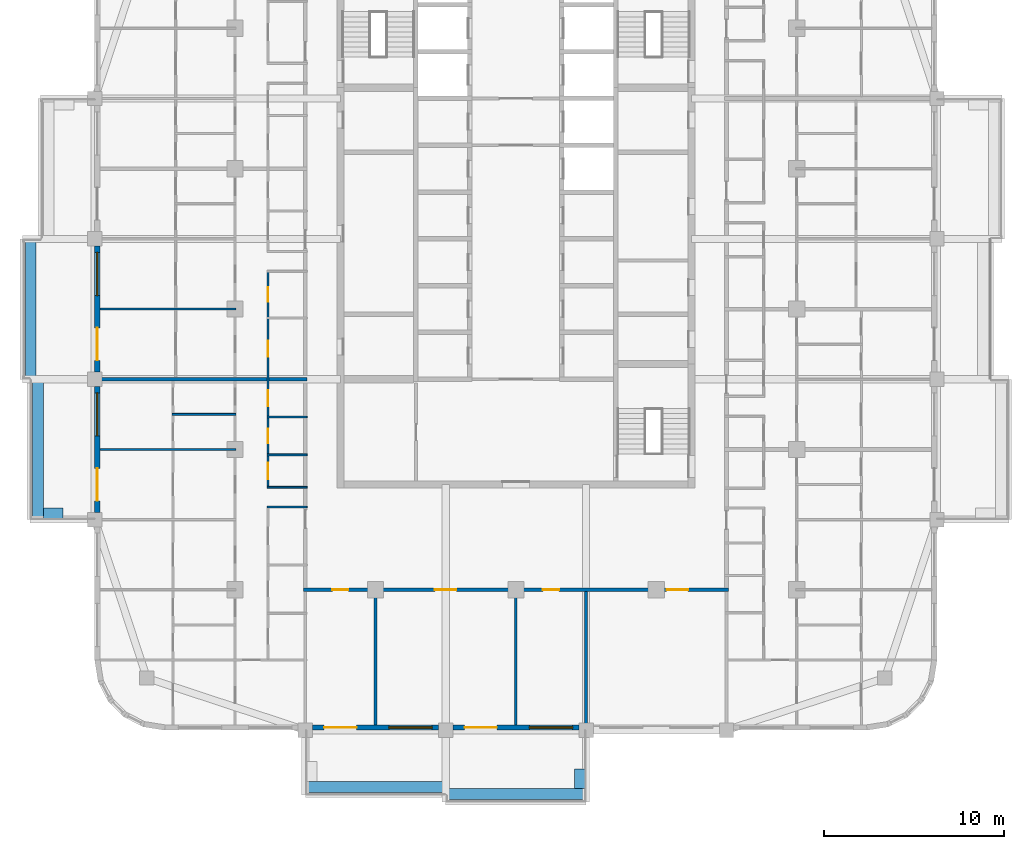
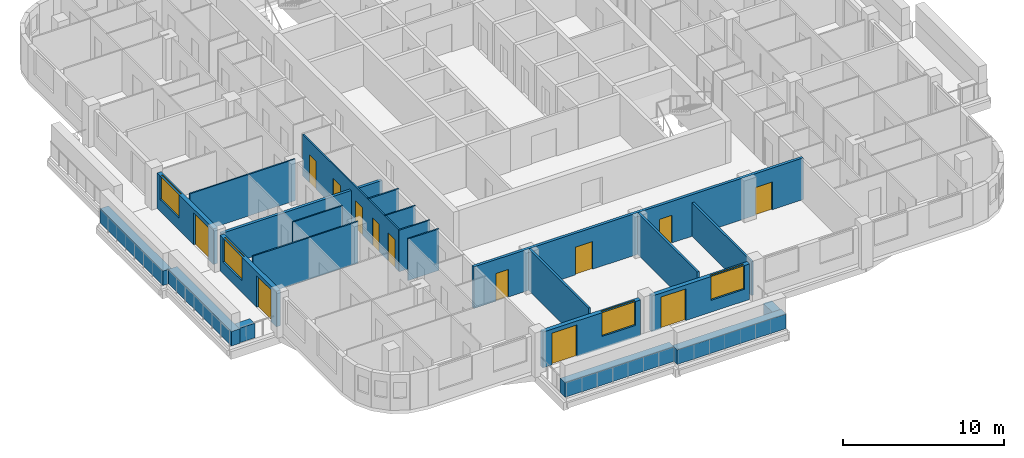
# One storey, part 3 of 16: 23 walls, 13 doors, 4 windows, 17 openings.
"""IFC4 building model written with IfcOpenShell, lengths in metres."""

from ifc_helpers import new_model, si_unit, direction, frame, frame_2d, origin, place, context, subcontext, project, spatial, rectangle, extrude, material, layer, layer_set, type_object, element, fill, save


model = new_model("IFC4")

# Units and contexts
model_context = context("Model", 3, precision=1e-05, world=origin(), true_north=direction((0.0, 1.0)))
body_context = subcontext(model_context, "Body", "Model", "MODEL_VIEW")
ifc_project = project(units=[si_unit("LENGTHUNIT", "METRE"), si_unit("AREAUNIT", "SQUARE_METRE"), si_unit("VOLUMEUNIT", "CUBIC_METRE"), si_unit("PLANEANGLEUNIT", "RADIAN"), si_unit("MASSUNIT", "GRAM", prefix="KILO")], contexts=[model_context])

# Site, building, storey
site_placement = place(None, origin())
site = spatial("IfcSite", under=ifc_project, at=site_placement, CompositionType="ELEMENT")
building_placement = place(site_placement, origin())
building = spatial("IfcBuilding", under=site, at=building_placement, Name="Ludao Terraces", CompositionType="ELEMENT")
storey_placement = place(building_placement, frame((0.0, 0.0, 214.300048828125)))
storey = spatial("IfcBuildingStorey", under=building, at=storey_placement, Name="L58", CompositionType="ELEMENT", Elevation=214.300048828125)

# Walls
ifc_material_1 = material(Name="Concrete C40", Category="concrete")
ifc_layer_1 = layer(ifc_material_1, 0.60009765625)
ifc_layer_set_1 = layer_set([ifc_layer_1], Name="ENV Planter trough 600")
wall_type_1 = type_object("IfcWallType", Name="ENV Planter trough 600", PredefinedType="USERDEFINED", material=ifc_layer_set_1)
wall_1_placement = place(storey_placement, frame((73.300048828125, 38.449951171875, 0.0), z_axis=(0.0, 0.0, 1.0), x_axis=(1.0, 0.0, 0.0)))
element("IfcWall", 1, at=wall_1_placement, inside=storey, type_object=wall_type_1, Name="PL-L58-S1", ObjectType="PLANTER", PredefinedType="USERDEFINED", context=body_context, shape_type="SweptSolid", body=[
    extrude(rectangle(XDim=7.800048828125, YDim=0.60009765625, at=frame_2d((3.89990234375, 0.0))), origin(), (0.0, 0.0, 1.0), 1.099853515625),
])
wall_2_placement = place(storey_placement, frame((81.10009765625, 38.050048828125, 0.0), z_axis=(0.0, 0.0, 1.0), x_axis=(1.0, 0.0, 0.0)))
element("IfcWall", 2, at=wall_2_placement, inside=storey, type_object=wall_type_1, Name="PL-L58-S2", ObjectType="PLANTER", PredefinedType="USERDEFINED", context=body_context, shape_type="SweptSolid", body=[
    extrude(rectangle(XDim=7.7998046875, YDim=0.60009765625, at=frame_2d((3.89990234375, 0.0))), origin(), (0.0, 0.0, 1.0), 1.099853515625),
])
wall_3_placement = place(storey_placement, frame((88.550048828125, 38.35009765625, 0.0), z_axis=(0.0, 0.0, 1.0), x_axis=(0.0, 1.0, 0.0)))
element("IfcWall", 3, at=wall_3_placement, inside=storey, type_object=wall_type_1, Name="PL-L58-S2-SB", ObjectType="PLANTER", PredefinedType="USERDEFINED", context=body_context, shape_type="SweptSolid", body=[
    extrude(rectangle(XDim=1.099853515625, YDim=0.60009765625, at=frame_2d((0.5498046875, 0.0))), origin(), (0.0, 0.0, 1.0), 1.099853515625),
])
wall_4_placement = place(storey_placement, frame((58.449951171875, 53.300048828125, 0.0), z_axis=(0.0, 0.0, 1.0), x_axis=(0.0, 1.0, 0.0)))
element("IfcWall", 4, at=wall_4_placement, inside=storey, type_object=wall_type_1, Name="PL-L58-W1", ObjectType="PLANTER", PredefinedType="USERDEFINED", context=body_context, shape_type="SweptSolid", body=[
    extrude(rectangle(XDim=7.800048828125, YDim=0.60009765625, at=frame_2d((3.89990234375, 0.0))), origin(), (0.0, 0.0, 1.0), 1.099853515625),
])
wall_5_placement = place(storey_placement, frame((58.75, 53.64990234375, 0.0), z_axis=(0.0, 0.0, 1.0), x_axis=(1.0, 0.0, 0.0)))
element("IfcWall", 5, at=wall_5_placement, inside=storey, type_object=wall_type_1, Name="PL-L58-W1-SA", ObjectType="PLANTER", PredefinedType="USERDEFINED", context=body_context, shape_type="SweptSolid", body=[
    extrude(rectangle(XDim=1.10009765625, YDim=0.60009765625, at=frame_2d((0.550048828125, 0.0))), origin(), (0.0, 0.0, 1.0), 1.099853515625),
])
wall_6_placement = place(storey_placement, frame((58.050048828125, 61.10009765625, 0.0), z_axis=(0.0, 0.0, 1.0), x_axis=(0.0, 1.0, 0.0)))
element("IfcWall", 6, at=wall_6_placement, inside=storey, type_object=wall_type_1, Name="PL-L58-W2", ObjectType="PLANTER", PredefinedType="USERDEFINED", context=body_context, shape_type="SweptSolid", body=[
    extrude(rectangle(XDim=7.7998046875, YDim=0.60009765625, at=frame_2d((3.89990234375, 0.0))), origin(), (0.0, 0.0, 1.0), 1.099853515625),
])

# Wall, openings, door, window
ifc_material_2 = material(Name="Granite cladding", Category="masonry")
ifc_layer_2 = layer(ifc_material_2, 0.0400390625, Category="stone")
ifc_material_3 = material(Name="Mineral wool")
ifc_layer_3 = layer(ifc_material_3, 0.06005859375)
ifc_layer_4 = layer(ifc_material_1, 0.199951171875, Category="concrete")
ifc_layer_set_2 = layer_set([ifc_layer_2, ifc_layer_3, ifc_layer_4], Name="ENV Stone-clad wall 300")
wall_type_2 = type_object("IfcWallType", Name="ENV Stone-clad wall 300", PredefinedType="SOLIDWALL", material=ifc_layer_set_2)
wall_7_placement = place(storey_placement, frame((73.699951171875, 41.75, 0.0), z_axis=(0.0, 0.0, 1.0), x_axis=(1.0, 0.0, 0.0)))
wall_7 = element("IfcWall", 7, at=wall_7_placement, inside=storey, type_object=wall_type_2, Name="EW-L58-S2", PredefinedType="SOLIDWALL", context=body_context, shape_type="SweptSolid", body=[
    extrude(rectangle(XDim=7.0, YDim=0.300048828125, at=frame_2d((3.5, 0.0))), origin(), (0.0, 0.0, 1.0), 2.699951171875),
])
opening_1_placement = place(wall_7_placement, frame((0.64990234375, 0.0, 0.0)))
opening_1 = element("IfcOpeningElement", 8, at=opening_1_placement, cuts=wall_7, Name="Opening BD", PredefinedType="OPENING", context=body_context, shape_type="SweptSolid", body=[
    extrude(rectangle(XDim=1.800048828125, YDim=2.39990234375, at=frame_2d((0.89990234375, 1.199951171875))), frame((0.0, 0.16015625, 0.0), z_axis=(0.0, -1.0, 0.0), x_axis=(1.0, 0.0, 0.0)), (0.0, 0.0, 1.0), 0.320068359375),
])
opening_2_placement = place(wall_7_placement, frame((4.25, 0.0, 0.89990234375)))
opening_2 = element("IfcOpeningElement", 9, at=opening_2_placement, cuts=wall_7, Name="Opening W1", PredefinedType="OPENING", context=body_context, shape_type="SweptSolid", body=[
    extrude(rectangle(XDim=2.39990234375, YDim=1.800048828125, at=frame_2d((1.199951171875, 0.89990234375))), frame((0.0, 0.16015625, 0.0), z_axis=(0.0, -1.0, 0.0), x_axis=(1.0, 0.0, 0.0)), (0.0, 0.0, 1.0), 0.320068359375),
])
ifc_material_4 = material(Name="Aluminium glazed door", Category="aluminium")
ifc_layer_5 = layer(ifc_material_4, 0.06005859375)
ifc_layer_set_3 = layer_set([ifc_layer_5], Name="ENV Balcony door BD 1800x2400")
door_type_1 = type_object("IfcDoorType", Name="ENV Balcony door BD 1800x2400", OperationType="DOUBLE_DOOR_SINGLE_SWING", PredefinedType="DOOR", material=ifc_layer_set_3)
door_1_placement = place(opening_1_placement, origin())
door_1 = element("IfcDoor", 10, at=door_1_placement, inside=storey, type_object=door_type_1, Name="BD-L58-S2-1", OperationType="DOUBLE_DOOR_SINGLE_SWING", OverallHeight=2.39990234375, OverallWidth=1.800048828125, PredefinedType="DOOR", context=body_context, shape_type="SweptSolid", body=[
    extrude(rectangle(XDim=1.800048828125, YDim=2.39990234375, at=frame_2d((0.89990234375, 1.199951171875))), frame((0.0, 0.02490234375, 0.0), z_axis=(0.0, -1.0, 0.0), x_axis=(1.0, 0.0, 0.0)), (0.0, 0.0, 1.0), 0.050048828125),
])
fill(opening_1, door_1)
ifc_material_5 = material(Name="Clear glass in aluminium frame", Category="aluminium")
ifc_layer_6 = layer(ifc_material_5, 0.06005859375)
ifc_layer_set_4 = layer_set([ifc_layer_6], Name="ENV Window W1 2400x1800")
window_type = type_object("IfcWindowType", Name="ENV Window W1 2400x1800", PartitioningType="DOUBLE_PANEL_VERTICAL", PredefinedType="WINDOW", material=ifc_layer_set_4)
window_1_placement = place(opening_2_placement, origin())
window_1 = element("IfcWindow", 11, at=window_1_placement, inside=storey, type_object=window_type, Name="W-L58-S2-2", OverallHeight=1.800048828125, OverallWidth=2.39990234375, PartitioningType="DOUBLE_PANEL_VERTICAL", PredefinedType="WINDOW", context=body_context, shape_type="SweptSolid", body=[
    extrude(rectangle(XDim=2.39990234375, YDim=1.800048828125, at=frame_2d((1.199951171875, 0.89990234375))), frame((0.0, 0.030029296875, 0.0), z_axis=(0.0, -1.0, 0.0), x_axis=(1.0, 0.0, 0.0)), (0.0, 0.0, 1.0), 0.06005859375),
])
fill(opening_2, window_1)

wall_8_placement = place(storey_placement, frame((81.5, 41.75, 0.0), z_axis=(0.0, 0.0, 1.0), x_axis=(1.0, 0.0, 0.0)))
wall_8 = element("IfcWall", 12, at=wall_8_placement, inside=storey, type_object=wall_type_2, Name="EW-L58-S3", PredefinedType="SOLIDWALL", context=body_context, shape_type="SweptSolid", body=[
    extrude(rectangle(XDim=7.0, YDim=0.300048828125, at=frame_2d((3.5, 0.0))), origin(), (0.0, 0.0, 1.0), 2.699951171875),
])
opening_3_placement = place(wall_8_placement, frame((0.64990234375, 0.0, 0.0)))
opening_3 = element("IfcOpeningElement", 13, at=opening_3_placement, cuts=wall_8, Name="Opening BD", PredefinedType="OPENING", context=body_context, shape_type="SweptSolid", body=[
    extrude(rectangle(XDim=1.800048828125, YDim=2.39990234375, at=frame_2d((0.89990234375, 1.199951171875))), frame((0.0, 0.16015625, 0.0), z_axis=(0.0, -1.0, 0.0), x_axis=(1.0, 0.0, 0.0)), (0.0, 0.0, 1.0), 0.320068359375),
])
opening_4_placement = place(wall_8_placement, frame((4.25, 0.0, 0.89990234375)))
opening_4 = element("IfcOpeningElement", 14, at=opening_4_placement, cuts=wall_8, Name="Opening W1", PredefinedType="OPENING", context=body_context, shape_type="SweptSolid", body=[
    extrude(rectangle(XDim=2.39990234375, YDim=1.800048828125, at=frame_2d((1.199951171875, 0.89990234375))), frame((0.0, 0.16015625, 0.0), z_axis=(0.0, -1.0, 0.0), x_axis=(1.0, 0.0, 0.0)), (0.0, 0.0, 1.0), 0.320068359375),
])
door_2_placement = place(opening_3_placement, origin())
door_2 = element("IfcDoor", 15, at=door_2_placement, inside=storey, type_object=door_type_1, Name="BD-L58-S3-1", OperationType="DOUBLE_DOOR_SINGLE_SWING", OverallHeight=2.39990234375, OverallWidth=1.800048828125, PredefinedType="DOOR", context=body_context, shape_type="SweptSolid", body=[
    extrude(rectangle(XDim=1.800048828125, YDim=2.39990234375, at=frame_2d((0.89990234375, 1.199951171875))), frame((0.0, 0.02490234375, 0.0), z_axis=(0.0, -1.0, 0.0), x_axis=(1.0, 0.0, 0.0)), (0.0, 0.0, 1.0), 0.050048828125),
])
fill(opening_3, door_2)
window_2_placement = place(opening_4_placement, origin())
window_2 = element("IfcWindow", 16, at=window_2_placement, inside=storey, type_object=window_type, Name="W-L58-S3-2", OverallHeight=1.800048828125, OverallWidth=2.39990234375, PartitioningType="DOUBLE_PANEL_VERTICAL", PredefinedType="WINDOW", context=body_context, shape_type="SweptSolid", body=[
    extrude(rectangle(XDim=2.39990234375, YDim=1.800048828125, at=frame_2d((1.199951171875, 0.89990234375))), frame((0.0, 0.030029296875, 0.0), z_axis=(0.0, -1.0, 0.0), x_axis=(1.0, 0.0, 0.0)), (0.0, 0.0, 1.0), 0.06005859375),
])
fill(opening_4, window_2)

wall_9_placement = place(storey_placement, frame((61.75, 53.699951171875, 0.0), z_axis=(0.0, 0.0, 1.0), x_axis=(0.0, 1.0, 0.0)))
wall_9 = element("IfcWall", 17, at=wall_9_placement, inside=storey, type_object=wall_type_2, Name="EW-L58-W2", PredefinedType="SOLIDWALL", context=body_context, shape_type="SweptSolid", body=[
    extrude(rectangle(XDim=7.0, YDim=0.300048828125, at=frame_2d((3.5, 0.0))), origin(), (0.0, 0.0, 1.0), 2.699951171875),
])
opening_5_placement = place(wall_9_placement, frame((0.64990234375, 0.0, 0.0)))
opening_5 = element("IfcOpeningElement", 18, at=opening_5_placement, cuts=wall_9, Name="Opening BD", PredefinedType="OPENING", context=body_context, shape_type="SweptSolid", body=[
    extrude(rectangle(XDim=1.800048828125, YDim=2.39990234375, at=frame_2d((0.89990234375, 1.199951171875))), frame((0.0, 0.16015625, 0.0), z_axis=(0.0, -1.0, 0.0), x_axis=(1.0, 0.0, 0.0)), (0.0, 0.0, 1.0), 0.320068359375),
])
opening_6_placement = place(wall_9_placement, frame((4.25, 0.0, 0.89990234375)))
opening_6 = element("IfcOpeningElement", 19, at=opening_6_placement, cuts=wall_9, Name="Opening W1", PredefinedType="OPENING", context=body_context, shape_type="SweptSolid", body=[
    extrude(rectangle(XDim=2.39990234375, YDim=1.800048828125, at=frame_2d((1.199951171875, 0.89990234375))), frame((0.0, 0.16015625, 0.0), z_axis=(0.0, -1.0, 0.0), x_axis=(1.0, 0.0, 0.0)), (0.0, 0.0, 1.0), 0.320068359375),
])
door_3_placement = place(opening_5_placement, origin())
door_3 = element("IfcDoor", 20, at=door_3_placement, inside=storey, type_object=door_type_1, Name="BD-L58-W2-1", OperationType="DOUBLE_DOOR_SINGLE_SWING", OverallHeight=2.39990234375, OverallWidth=1.800048828125, PredefinedType="DOOR", context=body_context, shape_type="SweptSolid", body=[
    extrude(rectangle(XDim=1.800048828125, YDim=2.39990234375, at=frame_2d((0.89990234375, 1.199951171875))), frame((0.0, 0.02490234375, 0.0), z_axis=(0.0, -1.0, 0.0), x_axis=(1.0, 0.0, 0.0)), (0.0, 0.0, 1.0), 0.050048828125),
])
fill(opening_5, door_3)
window_3_placement = place(opening_6_placement, origin())
window_3 = element("IfcWindow", 21, at=window_3_placement, inside=storey, type_object=window_type, Name="W-L58-W2-2", OverallHeight=1.800048828125, OverallWidth=2.39990234375, PartitioningType="DOUBLE_PANEL_VERTICAL", PredefinedType="WINDOW", context=body_context, shape_type="SweptSolid", body=[
    extrude(rectangle(XDim=2.39990234375, YDim=1.800048828125, at=frame_2d((1.199951171875, 0.89990234375))), frame((0.0, 0.030029296875, 0.0), z_axis=(0.0, -1.0, 0.0), x_axis=(1.0, 0.0, 0.0)), (0.0, 0.0, 1.0), 0.06005859375),
])
fill(opening_6, window_3)

wall_10_placement = place(storey_placement, frame((61.75, 61.5, 0.0), z_axis=(0.0, 0.0, 1.0), x_axis=(0.0, 1.0, 0.0)))
wall_10 = element("IfcWall", 22, at=wall_10_placement, inside=storey, type_object=wall_type_2, Name="EW-L58-W3", PredefinedType="SOLIDWALL", context=body_context, shape_type="SweptSolid", body=[
    extrude(rectangle(XDim=7.0, YDim=0.300048828125, at=frame_2d((3.5, 0.0))), origin(), (0.0, 0.0, 1.0), 2.699951171875),
])
opening_7_placement = place(wall_10_placement, frame((0.64990234375, 0.0, 0.0)))
opening_7 = element("IfcOpeningElement", 23, at=opening_7_placement, cuts=wall_10, Name="Opening BD", PredefinedType="OPENING", context=body_context, shape_type="SweptSolid", body=[
    extrude(rectangle(XDim=1.800048828125, YDim=2.39990234375, at=frame_2d((0.89990234375, 1.199951171875))), frame((0.0, 0.16015625, 0.0), z_axis=(0.0, -1.0, 0.0), x_axis=(1.0, 0.0, 0.0)), (0.0, 0.0, 1.0), 0.320068359375),
])
opening_8_placement = place(wall_10_placement, frame((4.25, 0.0, 0.89990234375)))
opening_8 = element("IfcOpeningElement", 24, at=opening_8_placement, cuts=wall_10, Name="Opening W1", PredefinedType="OPENING", context=body_context, shape_type="SweptSolid", body=[
    extrude(rectangle(XDim=2.39990234375, YDim=1.800048828125, at=frame_2d((1.199951171875, 0.89990234375))), frame((0.0, 0.16015625, 0.0), z_axis=(0.0, -1.0, 0.0), x_axis=(1.0, 0.0, 0.0)), (0.0, 0.0, 1.0), 0.320068359375),
])
door_4_placement = place(opening_7_placement, origin())
door_4 = element("IfcDoor", 25, at=door_4_placement, inside=storey, type_object=door_type_1, Name="BD-L58-W3-1", OperationType="DOUBLE_DOOR_SINGLE_SWING", OverallHeight=2.39990234375, OverallWidth=1.800048828125, PredefinedType="DOOR", context=body_context, shape_type="SweptSolid", body=[
    extrude(rectangle(XDim=1.800048828125, YDim=2.39990234375, at=frame_2d((0.89990234375, 1.199951171875))), frame((0.0, 0.02490234375, 0.0), z_axis=(0.0, -1.0, 0.0), x_axis=(1.0, 0.0, 0.0)), (0.0, 0.0, 1.0), 0.050048828125),
])
fill(opening_7, door_4)
window_4_placement = place(opening_8_placement, origin())
window_4 = element("IfcWindow", 26, at=window_4_placement, inside=storey, type_object=window_type, Name="W-L58-W3-2", OverallHeight=1.800048828125, OverallWidth=2.39990234375, PartitioningType="DOUBLE_PANEL_VERTICAL", PredefinedType="WINDOW", context=body_context, shape_type="SweptSolid", body=[
    extrude(rectangle(XDim=2.39990234375, YDim=1.800048828125, at=frame_2d((1.199951171875, 0.89990234375))), frame((0.0, 0.030029296875, 0.0), z_axis=(0.0, -1.0, 0.0), x_axis=(1.0, 0.0, 0.0)), (0.0, 0.0, 1.0), 0.06005859375),
])
fill(opening_8, window_4)

# Wall, openings, doors
ifc_material_6 = material(Name="Autoclaved aerated concrete block B06 A3.5", Category="concrete")
ifc_layer_7 = layer(ifc_material_6, 0.199951171875)
ifc_layer_set_5 = layer_set([ifc_layer_7], Name="INT Entrance wall 200")
wall_type_3 = type_object("IfcWallType", Name="INT Entrance wall 200", PredefinedType="PARTITIONING", material=ifc_layer_set_5)
wall_11_placement = place(storey_placement, frame((73.2001953125, 49.39990234375, 0.0), z_axis=(0.0, 0.0, 1.0), x_axis=(1.0, 0.0, 0.0)))
wall_11 = element("IfcWall", 27, at=wall_11_placement, inside=storey, type_object=wall_type_3, Name="PW-L58-PW007", PredefinedType="PARTITIONING", context=body_context, shape_type="SweptSolid", body=[
    extrude(rectangle(XDim=23.599853515625, YDim=0.199951171875, at=frame_2d((11.7998046875, 0.0))), origin(), (0.0, 0.0, 1.0), 3.14990234375),
])
opening_9_placement = place(wall_11_placement, frame((1.599853515625, 0.0, 0.0)))
opening_9 = element("IfcOpeningElement", 28, at=opening_9_placement, cuts=wall_11, Name="Opening R21-016", PredefinedType="OPENING", context=body_context, shape_type="SweptSolid", body=[
    extrude(rectangle(XDim=0.89990234375, YDim=2.10009765625, at=frame_2d((0.449951171875, 1.050048828125))), frame((0.0, 0.10986328125, 0.0), z_axis=(0.0, -1.0, 0.0), x_axis=(1.0, 0.0, 0.0)), (0.0, 0.0, 1.0), 0.219970703125),
])
opening_10_placement = place(wall_11_placement, frame((7.2998046875, 0.0, 0.0)))
opening_10 = element("IfcOpeningElement", 29, at=opening_10_placement, cuts=wall_11, Name="Opening R21-017", PredefinedType="OPENING", context=body_context, shape_type="SweptSolid", body=[
    extrude(rectangle(XDim=1.199951171875, YDim=2.10009765625, at=frame_2d((0.60009765625, 1.050048828125))), frame((0.0, 0.10986328125, 0.0), z_axis=(0.0, -1.0, 0.0), x_axis=(1.0, 0.0, 0.0)), (0.0, 0.0, 1.0), 0.219970703125),
])
opening_11_placement = place(wall_11_placement, frame((13.2998046875, 0.0, 0.0)))
opening_11 = element("IfcOpeningElement", 30, at=opening_11_placement, cuts=wall_11, Name="Opening R21-018", PredefinedType="OPENING", context=body_context, shape_type="SweptSolid", body=[
    extrude(rectangle(XDim=0.89990234375, YDim=2.10009765625, at=frame_2d((0.449951171875, 1.050048828125))), frame((0.0, 0.10986328125, 0.0), z_axis=(0.0, -1.0, 0.0), x_axis=(1.0, 0.0, 0.0)), (0.0, 0.0, 1.0), 0.219970703125),
])
opening_12_placement = place(wall_11_placement, frame((20.1748046875, 0.0, 0.0)))
opening_12 = element("IfcOpeningElement", 31, at=opening_12_placement, cuts=wall_11, Name="Opening R21-019", PredefinedType="OPENING", context=body_context, shape_type="SweptSolid", body=[
    extrude(rectangle(XDim=1.199951171875, YDim=2.10009765625, at=frame_2d((0.60009765625, 1.050048828125))), frame((0.0, 0.10986328125, 0.0), z_axis=(0.0, -1.0, 0.0), x_axis=(1.0, 0.0, 0.0)), (0.0, 0.0, 1.0), 0.219970703125),
])
ifc_material_7 = material(Name="Timber door leaf", Category="wood")
door_type_2 = type_object("IfcDoorType", Name="INT Double door 1200", OperationType="DOUBLE_DOOR_SINGLE_SWING", PredefinedType="DOOR", material=ifc_material_7)
door_5_placement = place(opening_10_placement, origin())
door_5 = element("IfcDoor", 32, at=door_5_placement, inside=storey, type_object=door_type_2, Name="DOOR 017", OperationType="DOUBLE_DOOR_SINGLE_SWING", OverallHeight=2.10009765625, OverallWidth=1.199951171875, PredefinedType="DOOR", context=body_context, shape_type="SweptSolid", body=[
    extrude(rectangle(XDim=1.199951171875, YDim=2.10009765625, at=frame_2d((0.60009765625, 1.050048828125))), frame((0.0, 0.02490234375, 0.0), z_axis=(0.0, -1.0, 0.0), x_axis=(1.0, 0.0, 0.0)), (0.0, 0.0, 1.0), 0.050048828125),
])
fill(opening_10, door_5)
door_6_placement = place(opening_12_placement, origin())
door_6 = element("IfcDoor", 33, at=door_6_placement, inside=storey, type_object=door_type_2, Name="DOOR 019", OperationType="DOUBLE_DOOR_SINGLE_SWING", OverallHeight=2.10009765625, OverallWidth=1.199951171875, PredefinedType="DOOR", context=body_context, shape_type="SweptSolid", body=[
    extrude(rectangle(XDim=1.199951171875, YDim=2.10009765625, at=frame_2d((0.60009765625, 1.050048828125))), frame((0.0, 0.02490234375, 0.0), z_axis=(0.0, -1.0, 0.0), x_axis=(1.0, 0.0, 0.0)), (0.0, 0.0, 1.0), 0.050048828125),
])
fill(opening_12, door_6)
door_type_3 = type_object("IfcDoorType", Name="INT Room door 900", OperationType="SINGLE_SWING_LEFT", PredefinedType="DOOR", material=ifc_material_7)
door_7_placement = place(opening_9_placement, origin())
door_7 = element("IfcDoor", 34, at=door_7_placement, inside=storey, type_object=door_type_3, Name="DOOR 016", OperationType="SINGLE_SWING_RIGHT", OverallHeight=2.10009765625, OverallWidth=0.89990234375, PredefinedType="DOOR", context=body_context, shape_type="SweptSolid", body=[
    extrude(rectangle(XDim=0.89990234375, YDim=2.10009765625, at=frame_2d((0.449951171875, 1.050048828125))), frame((0.0, 0.02490234375, 0.0), z_axis=(0.0, -1.0, 0.0), x_axis=(1.0, 0.0, 0.0)), (0.0, 0.0, 1.0), 0.050048828125),
])
fill(opening_9, door_7)
door_8_placement = place(opening_11_placement, origin())
door_8 = element("IfcDoor", 35, at=door_8_placement, inside=storey, type_object=door_type_3, Name="DOOR 018", OperationType="SINGLE_SWING_RIGHT", OverallHeight=2.10009765625, OverallWidth=0.89990234375, PredefinedType="DOOR", context=body_context, shape_type="SweptSolid", body=[
    extrude(rectangle(XDim=0.89990234375, YDim=2.10009765625, at=frame_2d((0.449951171875, 1.050048828125))), frame((0.0, 0.02490234375, 0.0), z_axis=(0.0, -1.0, 0.0), x_axis=(1.0, 0.0, 0.0)), (0.0, 0.0, 1.0), 0.050048828125),
])
fill(opening_11, door_8)

# Walls
ifc_material_8 = material(Name="Gypsum plasterboard", Category="gypsum")
ifc_layer_8 = layer(ifc_material_8, 0.012451171875, Category="gypsum")
ifc_layer_9 = layer(ifc_material_3, 0.06005859375, Name="insulation")
ifc_material_9 = material(Name="Steel Q235", Category="steel")
ifc_layer_10 = layer(ifc_material_9, 0.014892578125, Name="stud")
ifc_layer_11 = layer(ifc_material_8, 0.012451171875, Category="gypsum")
ifc_layer_set_6 = layer_set([ifc_layer_8, ifc_layer_9, ifc_layer_10, ifc_layer_11], Name="INT Partition 100")
wall_type_4 = type_object("IfcWallType", Name="INT Partition 100", PredefinedType="PARTITIONING", material=ifc_layer_set_6)
for number, where, z_axis, x_axis, name in (
    (36, (71.18017578125, 54.0, 0.0), (0.0, 0.0, 1.0), (1.0, 0.0, 0.0), "PW-L58-PW015"),
    (37, (71.18017578125, 55.10009765625, 0.0), (0.0, 0.0, 1.0), (1.0, 0.0, 0.0), "PW-L58-PW017"),
    (38, (71.18017578125, 56.89990234375, 0.0), (0.0, 0.0, 1.0), (1.0, 0.0, 0.0), "PW-L58-PW019"),
):
    element("IfcWall", number, at=place(storey_placement, frame(where, z_axis=z_axis, x_axis=x_axis)), inside=storey, type_object=wall_type_4, Name=name, PredefinedType="PARTITIONING", context=body_context, shape_type="SweptSolid", body=[
        extrude(rectangle(XDim=2.219970703125, YDim=0.10009765625, at=frame_2d((1.10986328125, 0.0))), origin(), (0.0, 0.0, 1.0), 3.14990234375),
    ])
wall_12_placement = place(storey_placement, frame((61.900146484375, 57.199951171875, 0.0), z_axis=(0.0, 0.0, 1.0), x_axis=(1.0, 0.0, 0.0)))
element("IfcWall", 39, at=wall_12_placement, inside=storey, type_object=wall_type_4, Name="PW-L58-PW020", PredefinedType="PARTITIONING", context=body_context, shape_type="SweptSolid", body=[
    extrude(rectangle(XDim=7.550048828125, YDim=0.10009765625, at=frame_2d((3.77490234375, 0.0))), origin(), (0.0, 0.0, 1.0), 3.14990234375),
])
wall_13_placement = place(storey_placement, frame((71.18017578125, 59.0, 0.0), z_axis=(0.0, 0.0, 1.0), x_axis=(1.0, 0.0, 0.0)))
element("IfcWall", 40, at=wall_13_placement, inside=storey, type_object=wall_type_4, Name="PW-L58-PW022", PredefinedType="PARTITIONING", context=body_context, shape_type="SweptSolid", body=[
    extrude(rectangle(XDim=2.219970703125, YDim=0.10009765625, at=frame_2d((1.10986328125, 0.0))), origin(), (0.0, 0.0, 1.0), 3.14990234375),
])
wall_14_placement = place(storey_placement, frame((65.900146484375, 59.14990234375, 0.0), z_axis=(0.0, 0.0, 1.0), x_axis=(1.0, 0.0, 0.0)))
element("IfcWall", 41, at=wall_14_placement, inside=storey, type_object=wall_type_4, Name="PW-L58-PW024", PredefinedType="PARTITIONING", context=body_context, shape_type="SweptSolid", body=[
    extrude(rectangle(XDim=3.550048828125, YDim=0.10009765625, at=frame_2d((1.77490234375, 0.0))), origin(), (0.0, 0.0, 1.0), 3.14990234375),
])
wall_15_placement = place(storey_placement, frame((61.900146484375, 65.0, 0.0), z_axis=(0.0, 0.0, 1.0), x_axis=(1.0, 0.0, 0.0)))
element("IfcWall", 42, at=wall_15_placement, inside=storey, type_object=wall_type_4, Name="PW-L58-PW032", PredefinedType="PARTITIONING", context=body_context, shape_type="SweptSolid", body=[
    extrude(rectangle(XDim=7.550048828125, YDim=0.10009765625, at=frame_2d((3.77490234375, 0.0))), origin(), (0.0, 0.0, 1.0), 3.14990234375),
])

# Wall, openings, doors
wall_16_placement = place(storey_placement, frame((71.22998046875, 55.150146484375, 0.0), z_axis=(0.0, 0.0, 1.0), x_axis=(0.0, 1.0, 0.0)))
wall_16 = element("IfcWall", 43, at=wall_16_placement, inside=storey, type_object=wall_type_4, Name="PW-L58-PW074", PredefinedType="PARTITIONING", context=body_context, shape_type="SweptSolid", body=[
    extrude(rectangle(XDim=11.89990234375, YDim=0.10009765625, at=frame_2d((5.949951171875, 0.0))), origin(), (0.0, 0.0, 1.0), 3.14990234375),
])
opening_13_placement = place(wall_16_placement, frame((0.39990234375, 0.0, 0.0)))
opening_13 = element("IfcOpeningElement", 44, at=opening_13_placement, cuts=wall_16, Name="Opening R21-034", PredefinedType="OPENING", context=body_context, shape_type="SweptSolid", body=[
    extrude(rectangle(XDim=0.89990234375, YDim=2.10009765625, at=frame_2d((0.449951171875, 1.050048828125))), frame((0.0, 0.06005859375, 0.0), z_axis=(0.0, -1.0, 0.0), x_axis=(1.0, 0.0, 0.0)), (0.0, 0.0, 1.0), 0.1201171875),
])
opening_14_placement = place(wall_16_placement, frame((2.39990234375, 0.0, 0.0)))
opening_14 = element("IfcOpeningElement", 45, at=opening_14_placement, cuts=wall_16, Name="Opening R21-040", PredefinedType="OPENING", context=body_context, shape_type="SweptSolid", body=[
    extrude(rectangle(XDim=0.800048828125, YDim=2.10009765625, at=frame_2d((0.39990234375, 1.050048828125))), frame((0.0, 0.06005859375, 0.0), z_axis=(0.0, -1.0, 0.0), x_axis=(1.0, 0.0, 0.0)), (0.0, 0.0, 1.0), 0.1201171875),
])
opening_15_placement = place(wall_16_placement, frame((4.449951171875, 0.0, 0.0)))
opening_15 = element("IfcOpeningElement", 46, at=opening_15_placement, cuts=wall_16, Name="Opening R21-046", PredefinedType="OPENING", context=body_context, shape_type="SweptSolid", body=[
    extrude(rectangle(XDim=0.89990234375, YDim=2.10009765625, at=frame_2d((0.449951171875, 1.050048828125))), frame((0.0, 0.06005859375, 0.0), z_axis=(0.0, -1.0, 0.0), x_axis=(1.0, 0.0, 0.0)), (0.0, 0.0, 1.0), 0.1201171875),
])
opening_16_placement = place(wall_16_placement, frame((7.199951171875, 0.0, 0.0)))
opening_16 = element("IfcOpeningElement", 47, at=opening_16_placement, cuts=wall_16, Name="Opening R21-055", PredefinedType="OPENING", context=body_context, shape_type="SweptSolid", body=[
    extrude(rectangle(XDim=0.89990234375, YDim=2.10009765625, at=frame_2d((0.449951171875, 1.050048828125))), frame((0.0, 0.06005859375, 0.0), z_axis=(0.0, -1.0, 0.0), x_axis=(1.0, 0.0, 0.0)), (0.0, 0.0, 1.0), 0.1201171875),
])
opening_17_placement = place(wall_16_placement, frame((10.25, 0.0, 0.0)))
opening_17 = element("IfcOpeningElement", 48, at=opening_17_placement, cuts=wall_16, Name="Opening R21-065", PredefinedType="OPENING", context=body_context, shape_type="SweptSolid", body=[
    extrude(rectangle(XDim=0.800048828125, YDim=2.10009765625, at=frame_2d((0.39990234375, 1.050048828125))), frame((0.0, 0.06005859375, 0.0), z_axis=(0.0, -1.0, 0.0), x_axis=(1.0, 0.0, 0.0)), (0.0, 0.0, 1.0), 0.1201171875),
])
door_type_4 = type_object("IfcDoorType", Name="INT Bathroom door 900", OperationType="SINGLE_SWING_LEFT", PredefinedType="DOOR", material=ifc_material_7)
door_9_placement = place(opening_13_placement, origin())
door_9 = element("IfcDoor", 49, at=door_9_placement, inside=storey, type_object=door_type_4, Name="DOOR 034", OperationType="SINGLE_SWING_RIGHT", OverallHeight=2.10009765625, OverallWidth=0.89990234375, PredefinedType="DOOR", context=body_context, shape_type="SweptSolid", body=[
    extrude(rectangle(XDim=0.89990234375, YDim=2.10009765625, at=frame_2d((0.449951171875, 1.050048828125))), frame((0.0, 0.02490234375, 0.0), z_axis=(0.0, -1.0, 0.0), x_axis=(1.0, 0.0, 0.0)), (0.0, 0.0, 1.0), 0.050048828125),
])
fill(opening_13, door_9)
door_10_placement = place(opening_15_placement, origin())
door_10 = element("IfcDoor", 50, at=door_10_placement, inside=storey, type_object=door_type_4, Name="DOOR 046", OperationType="SINGLE_SWING_LEFT", OverallHeight=2.10009765625, OverallWidth=0.89990234375, PredefinedType="DOOR", context=body_context, shape_type="SweptSolid", body=[
    extrude(rectangle(XDim=0.89990234375, YDim=2.10009765625, at=frame_2d((0.449951171875, 1.050048828125))), frame((0.0, 0.02490234375, 0.0), z_axis=(0.0, -1.0, 0.0), x_axis=(1.0, 0.0, 0.0)), (0.0, 0.0, 1.0), 0.050048828125),
])
fill(opening_15, door_10)
door_11_placement = place(opening_16_placement, origin())
door_11 = element("IfcDoor", 51, at=door_11_placement, inside=storey, type_object=door_type_3, Name="DOOR 055", OperationType="SINGLE_SWING_RIGHT", OverallHeight=2.10009765625, OverallWidth=0.89990234375, PredefinedType="DOOR", context=body_context, shape_type="SweptSolid", body=[
    extrude(rectangle(XDim=0.89990234375, YDim=2.10009765625, at=frame_2d((0.449951171875, 1.050048828125))), frame((0.0, 0.02490234375, 0.0), z_axis=(0.0, -1.0, 0.0), x_axis=(1.0, 0.0, 0.0)), (0.0, 0.0, 1.0), 0.050048828125),
])
fill(opening_16, door_11)
door_type_5 = type_object("IfcDoorType", Name="INT Store door 800", OperationType="SINGLE_SWING_LEFT", PredefinedType="DOOR", material=ifc_material_7)
door_12_placement = place(opening_14_placement, origin())
door_12 = element("IfcDoor", 52, at=door_12_placement, inside=storey, type_object=door_type_5, Name="DOOR 040", OperationType="SINGLE_SWING_RIGHT", OverallHeight=2.10009765625, OverallWidth=0.800048828125, PredefinedType="DOOR", context=body_context, shape_type="SweptSolid", body=[
    extrude(rectangle(XDim=0.800048828125, YDim=2.10009765625, at=frame_2d((0.39990234375, 1.050048828125))), frame((0.0, 0.02490234375, 0.0), z_axis=(0.0, -1.0, 0.0), x_axis=(1.0, 0.0, 0.0)), (0.0, 0.0, 1.0), 0.050048828125),
])
fill(opening_14, door_12)
door_13_placement = place(opening_17_placement, origin())
door_13 = element("IfcDoor", 53, at=door_13_placement, inside=storey, type_object=door_type_5, Name="DOOR 065", OperationType="SINGLE_SWING_RIGHT", OverallHeight=2.10009765625, OverallWidth=0.800048828125, PredefinedType="DOOR", context=body_context, shape_type="SweptSolid", body=[
    extrude(rectangle(XDim=0.800048828125, YDim=2.10009765625, at=frame_2d((0.39990234375, 1.050048828125))), frame((0.0, 0.02490234375, 0.0), z_axis=(0.0, -1.0, 0.0), x_axis=(1.0, 0.0, 0.0)), (0.0, 0.0, 1.0), 0.050048828125),
])
fill(opening_17, door_13)

# Walls
ifc_layer_12 = layer(ifc_material_6, 0.14990234375)
ifc_layer_set_7 = layer_set([ifc_layer_12], Name="INT Party wall 150")
wall_type_5 = type_object("IfcWallType", Name="INT Party wall 150", PredefinedType="PARTITIONING", material=ifc_layer_set_7)
for number, where, z_axis, x_axis, name in (
    (54, (77.199951171875, 41.900146484375, 0.0), (0.0, 0.0, 1.0), (0.0, 1.0, 0.0), "PW-L58-PW080"),
    (55, (85.0, 41.900146484375, 0.0), (0.0, 0.0, 1.0), (0.0, 1.0, 0.0), "PW-L58-PW084"),
):
    element("IfcWall", number, at=place(storey_placement, frame(where, z_axis=z_axis, x_axis=x_axis)), inside=storey, type_object=wall_type_5, Name=name, PredefinedType="PARTITIONING", context=body_context, shape_type="SweptSolid", body=[
        extrude(rectangle(XDim=7.39990234375, YDim=0.14990234375, at=frame_2d((3.699951171875, 0.0))), origin(), (0.0, 0.0, 1.0), 3.14990234375),
    ])
wall_17_placement = place(storey_placement, frame((88.89990234375, 41.900146484375, 0.0), z_axis=(0.0, 0.0, 1.0), x_axis=(0.0, 1.0, 0.0)))
element("IfcWall", 56, at=wall_17_placement, inside=storey, type_object=wall_type_5, Name="PW-L58-PW086", PredefinedType="PARTITIONING", context=body_context, shape_type="SweptSolid", body=[
    extrude(rectangle(XDim=7.39990234375, YDim=0.14990234375, at=frame_2d((3.699951171875, 0.0))), origin(), (0.0, 0.0, 1.0), 2.5498046875),
])
ifc_layer_13 = layer(ifc_material_6, 0.199951171875)
ifc_layer_set_8 = layer_set([ifc_layer_13], Name="INT Party wall 200")
wall_type_6 = type_object("IfcWallType", Name="INT Party wall 200", PredefinedType="PARTITIONING", material=ifc_layer_set_8)
wall_18_placement = place(storey_placement, frame((61.900146484375, 61.10009765625, 0.0), z_axis=(0.0, 0.0, 1.0), x_axis=(1.0, 0.0, 0.0)))
element("IfcWall", 57, at=wall_18_placement, inside=storey, type_object=wall_type_6, Name="PW-L58-PW026", PredefinedType="PARTITIONING", context=body_context, shape_type="SweptSolid", body=[
    extrude(rectangle(XDim=11.5, YDim=0.199951171875, at=frame_2d((5.75, 0.0))), origin(), (0.0, 0.0, 1.0), 2.5498046875),
])

save(model, "model.ifc")
